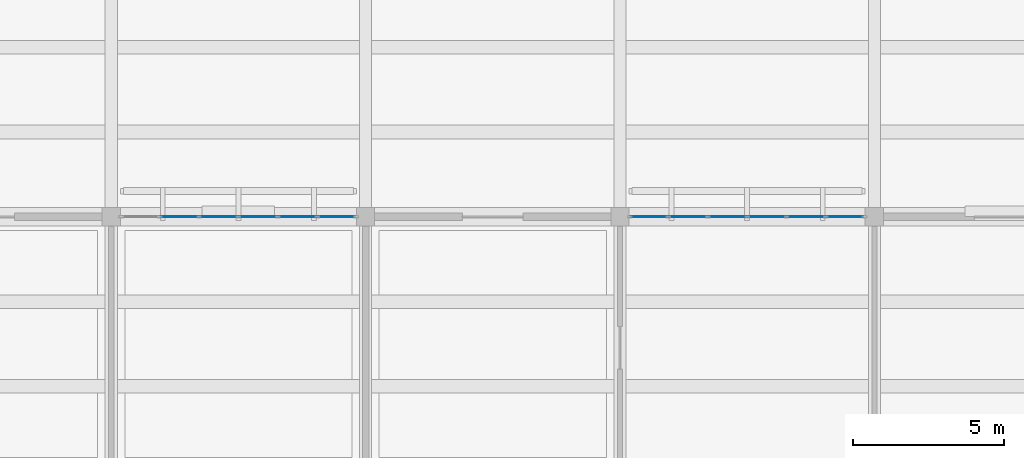
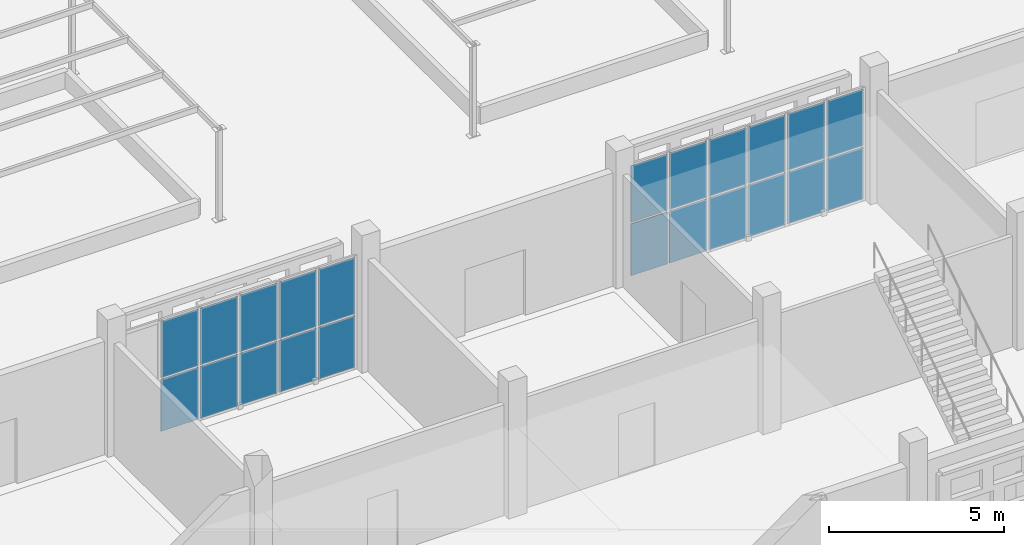
# One storey, part 48 of 129: 22 plates, 2 elements without a shape of their own.
"""IFC4 building model written with IfcOpenShell, lengths in metres."""

from ifc_helpers import new_model, si_unit, direction, frame, origin, origin_2d, place, context, subcontext, project, spatial, rectangle, extrude, material, layer, layer_set, type_object, element, aggregate, save


model = new_model("IFC4")

# Units and contexts
model_context = context("Model", 3, precision=1e-05, world=origin(), true_north=direction((0.0, 1.0)))
body_context = subcontext(model_context, "Body", "Model", "MODEL_VIEW")
ifc_project = project(units=[si_unit("LENGTHUNIT", "METRE"), si_unit("AREAUNIT", "SQUARE_METRE"), si_unit("VOLUMEUNIT", "CUBIC_METRE"), si_unit("PLANEANGLEUNIT", "RADIAN"), si_unit("MASSUNIT", "GRAM", prefix="KILO")], contexts=[model_context])

# Site, building, storey
site_placement = place(None, origin())
site = spatial("IfcSite", under=ifc_project, at=site_placement, CompositionType="ELEMENT")
building_placement = place(site_placement, origin())
building = spatial("IfcBuilding", under=site, at=building_placement, Name="Varnapada Polytechnic", CompositionType="ELEMENT")
storey_placement = place(building_placement, origin())
storey = spatial("IfcBuildingStorey", under=building, at=storey_placement, Name="L00", CompositionType="ELEMENT", Elevation=0.0)

# Curtain wall, plates
ifc_material = material(Name="Double low-E laminated glass", Category="glass")
ifc_layer_1 = layer(ifc_material, 0.159912109375)
ifc_layer_set_1 = layer_set([ifc_layer_1], Name="Double low-E laminated glass")
curtain_wall_type = type_object("IfcCurtainWallType", Name="Curtain Wall CW-01", PredefinedType="NOTDEFINED", material=ifc_layer_set_1)
curtain_wall_1_placement = place(storey_placement, origin())
curtain_wall_1 = element("IfcCurtainWall", 1, at=curtain_wall_1_placement, inside=storey, type_object=curtain_wall_type, Name="L00 unitised curtain wall CW-01 (10)", PredefinedType="NOTDEFINED")
ifc_layer_2 = layer(ifc_material, 0.028076171875)
ifc_layer_set_2 = layer_set([ifc_layer_2], Name="Double low-E laminated glass")
plate_type = type_object("IfcPlateType", Name="Curtain Panel PNL-01", PredefinedType="CURTAIN_PANEL", material=ifc_layer_set_2)
plate_1_placement = place(storey_placement, frame((94.64990234375, 42.0, 0.06005859375), z_axis=(0.0, 0.0, 1.0), x_axis=(1.0, 0.0, 0.0)))
plate_1 = element("IfcPlate", 2, at=plate_1_placement, type_object=plate_type, Name="CW-01 panel 2.1", PredefinedType="CURTAIN_PANEL", context=body_context, shape_type="SweptSolid", body=[
    extrude(rectangle(XDim=1.239990234375, YDim=0.028076171875, at=origin_2d()), origin(), (0.0, 0.0, 1.0), 1.810791015625),
])
plate_2_placement = place(storey_placement, frame((94.64990234375, 42.0, 1.9306640625), z_axis=(0.0, 0.0, 1.0), x_axis=(1.0, 0.0, 0.0)))
plate_2 = element("IfcPlate", 3, at=plate_2_placement, type_object=plate_type, Name="CW-01 panel 2.2", PredefinedType="CURTAIN_PANEL", context=body_context, shape_type="SweptSolid", body=[
    extrude(rectangle(XDim=1.239990234375, YDim=0.028076171875, at=origin_2d()), origin(), (0.0, 0.0, 1.0), 1.96923828125),
])
plate_3_placement = place(storey_placement, frame((95.949951171875, 42.0, 0.06005859375), z_axis=(0.0, 0.0, 1.0), x_axis=(1.0, 0.0, 0.0)))
plate_3 = element("IfcPlate", 4, at=plate_3_placement, type_object=plate_type, Name="CW-01 panel 3.1", PredefinedType="CURTAIN_PANEL", context=body_context, shape_type="SweptSolid", body=[
    extrude(rectangle(XDim=1.239990234375, YDim=0.028076171875, at=origin_2d()), origin(), (0.0, 0.0, 1.0), 1.810791015625),
])
plate_4_placement = place(storey_placement, frame((95.949951171875, 42.0, 1.9306640625), z_axis=(0.0, 0.0, 1.0), x_axis=(1.0, 0.0, 0.0)))
plate_4 = element("IfcPlate", 5, at=plate_4_placement, type_object=plate_type, Name="CW-01 panel 3.2", PredefinedType="CURTAIN_PANEL", context=body_context, shape_type="SweptSolid", body=[
    extrude(rectangle(XDim=1.239990234375, YDim=0.028076171875, at=origin_2d()), origin(), (0.0, 0.0, 1.0), 1.96923828125),
])
plate_5_placement = place(storey_placement, frame((97.25, 42.0, 0.06005859375), z_axis=(0.0, 0.0, 1.0), x_axis=(1.0, 0.0, 0.0)))
plate_5 = element("IfcPlate", 6, at=plate_5_placement, type_object=plate_type, Name="CW-01 panel 4.1", PredefinedType="CURTAIN_PANEL", context=body_context, shape_type="SweptSolid", body=[
    extrude(rectangle(XDim=1.239990234375, YDim=0.028076171875, at=origin_2d()), origin(), (0.0, 0.0, 1.0), 1.810791015625),
])
plate_6_placement = place(storey_placement, frame((97.25, 42.0, 1.9306640625), z_axis=(0.0, 0.0, 1.0), x_axis=(1.0, 0.0, 0.0)))
plate_6 = element("IfcPlate", 7, at=plate_6_placement, type_object=plate_type, Name="CW-01 panel 4.2", PredefinedType="CURTAIN_PANEL", context=body_context, shape_type="SweptSolid", body=[
    extrude(rectangle(XDim=1.239990234375, YDim=0.028076171875, at=origin_2d()), origin(), (0.0, 0.0, 1.0), 1.96923828125),
])
plate_7_placement = place(storey_placement, frame((98.550048828125, 42.0, 0.06005859375), z_axis=(0.0, 0.0, 1.0), x_axis=(1.0, 0.0, 0.0)))
plate_7 = element("IfcPlate", 8, at=plate_7_placement, type_object=plate_type, Name="CW-01 panel 5.1", PredefinedType="CURTAIN_PANEL", context=body_context, shape_type="SweptSolid", body=[
    extrude(rectangle(XDim=1.239990234375, YDim=0.028076171875, at=origin_2d()), origin(), (0.0, 0.0, 1.0), 1.810791015625),
])
plate_8_placement = place(storey_placement, frame((98.550048828125, 42.0, 1.9306640625), z_axis=(0.0, 0.0, 1.0), x_axis=(1.0, 0.0, 0.0)))
plate_8 = element("IfcPlate", 9, at=plate_8_placement, type_object=plate_type, Name="CW-01 panel 5.2", PredefinedType="CURTAIN_PANEL", context=body_context, shape_type="SweptSolid", body=[
    extrude(rectangle(XDim=1.239990234375, YDim=0.028076171875, at=origin_2d()), origin(), (0.0, 0.0, 1.0), 1.96923828125),
])
plate_9_placement = place(storey_placement, frame((99.8349609375, 42.0, 0.06005859375), z_axis=(0.0, 0.0, 1.0), x_axis=(1.0, 0.0, 0.0)))
plate_9 = element("IfcPlate", 10, at=plate_9_placement, type_object=plate_type, Name="CW-01 panel 6.1", PredefinedType="CURTAIN_PANEL", context=body_context, shape_type="SweptSolid", body=[
    extrude(rectangle(XDim=1.2099609375, YDim=0.028076171875, at=origin_2d()), origin(), (0.0, 0.0, 1.0), 1.810791015625),
])
plate_10_placement = place(storey_placement, frame((99.8349609375, 42.0, 1.9306640625), z_axis=(0.0, 0.0, 1.0), x_axis=(1.0, 0.0, 0.0)))
plate_10 = element("IfcPlate", 11, at=plate_10_placement, type_object=plate_type, Name="CW-01 panel 6.2", PredefinedType="CURTAIN_PANEL", context=body_context, shape_type="SweptSolid", body=[
    extrude(rectangle(XDim=1.2099609375, YDim=0.028076171875, at=origin_2d()), origin(), (0.0, 0.0, 1.0), 1.96923828125),
])
aggregate(curtain_wall_1, [plate_1, plate_2, plate_3, plate_4, plate_5, plate_6, plate_7, plate_8, plate_9, plate_10])

curtain_wall_2_placement = place(storey_placement, origin())
curtain_wall_2 = element("IfcCurtainWall", 12, at=curtain_wall_2_placement, inside=storey, type_object=curtain_wall_type, Name="L00 unitised curtain wall CW-01 (12)", PredefinedType="NOTDEFINED")
plate_11_placement = place(storey_placement, frame((110.1650390625, 42.0, 0.06005859375), z_axis=(0.0, 0.0, 1.0), x_axis=(1.0, 0.0, 0.0)))
plate_11 = element("IfcPlate", 13, at=plate_11_placement, type_object=plate_type, Name="CW-01 panel 1.1", PredefinedType="CURTAIN_PANEL", context=body_context, shape_type="SweptSolid", body=[
    extrude(rectangle(XDim=1.2099609375, YDim=0.028076171875, at=origin_2d()), origin(), (0.0, 0.0, 1.0), 1.810791015625),
])
plate_12_placement = place(storey_placement, frame((110.1650390625, 42.0, 1.9306640625), z_axis=(0.0, 0.0, 1.0), x_axis=(1.0, 0.0, 0.0)))
plate_12 = element("IfcPlate", 14, at=plate_12_placement, type_object=plate_type, Name="CW-01 panel 1.2", PredefinedType="CURTAIN_PANEL", context=body_context, shape_type="SweptSolid", body=[
    extrude(rectangle(XDim=1.2099609375, YDim=0.028076171875, at=origin_2d()), origin(), (0.0, 0.0, 1.0), 1.96923828125),
])
plate_13_placement = place(storey_placement, frame((111.449951171875, 42.0, 0.06005859375), z_axis=(0.0, 0.0, 1.0), x_axis=(1.0, 0.0, 0.0)))
plate_13 = element("IfcPlate", 15, at=plate_13_placement, type_object=plate_type, Name="CW-01 panel 2.1", PredefinedType="CURTAIN_PANEL", context=body_context, shape_type="SweptSolid", body=[
    extrude(rectangle(XDim=1.239990234375, YDim=0.028076171875, at=origin_2d()), origin(), (0.0, 0.0, 1.0), 1.810791015625),
])
plate_14_placement = place(storey_placement, frame((111.449951171875, 42.0, 1.9306640625), z_axis=(0.0, 0.0, 1.0), x_axis=(1.0, 0.0, 0.0)))
plate_14 = element("IfcPlate", 16, at=plate_14_placement, type_object=plate_type, Name="CW-01 panel 2.2", PredefinedType="CURTAIN_PANEL", context=body_context, shape_type="SweptSolid", body=[
    extrude(rectangle(XDim=1.239990234375, YDim=0.028076171875, at=origin_2d()), origin(), (0.0, 0.0, 1.0), 1.96923828125),
])
plate_15_placement = place(storey_placement, frame((112.75, 42.0, 0.06005859375), z_axis=(0.0, 0.0, 1.0), x_axis=(1.0, 0.0, 0.0)))
plate_15 = element("IfcPlate", 17, at=plate_15_placement, type_object=plate_type, Name="CW-01 panel 3.1", PredefinedType="CURTAIN_PANEL", context=body_context, shape_type="SweptSolid", body=[
    extrude(rectangle(XDim=1.239990234375, YDim=0.028076171875, at=origin_2d()), origin(), (0.0, 0.0, 1.0), 1.810791015625),
])
plate_16_placement = place(storey_placement, frame((112.75, 42.0, 1.9306640625), z_axis=(0.0, 0.0, 1.0), x_axis=(1.0, 0.0, 0.0)))
plate_16 = element("IfcPlate", 18, at=plate_16_placement, type_object=plate_type, Name="CW-01 panel 3.2", PredefinedType="CURTAIN_PANEL", context=body_context, shape_type="SweptSolid", body=[
    extrude(rectangle(XDim=1.239990234375, YDim=0.028076171875, at=origin_2d()), origin(), (0.0, 0.0, 1.0), 1.96923828125),
])
plate_17_placement = place(storey_placement, frame((114.050048828125, 42.0, 0.06005859375), z_axis=(0.0, 0.0, 1.0), x_axis=(1.0, 0.0, 0.0)))
plate_17 = element("IfcPlate", 19, at=plate_17_placement, type_object=plate_type, Name="CW-01 panel 4.1", PredefinedType="CURTAIN_PANEL", context=body_context, shape_type="SweptSolid", body=[
    extrude(rectangle(XDim=1.239990234375, YDim=0.028076171875, at=origin_2d()), origin(), (0.0, 0.0, 1.0), 1.810791015625),
])
plate_18_placement = place(storey_placement, frame((114.050048828125, 42.0, 1.9306640625), z_axis=(0.0, 0.0, 1.0), x_axis=(1.0, 0.0, 0.0)))
plate_18 = element("IfcPlate", 20, at=plate_18_placement, type_object=plate_type, Name="CW-01 panel 4.2", PredefinedType="CURTAIN_PANEL", context=body_context, shape_type="SweptSolid", body=[
    extrude(rectangle(XDim=1.239990234375, YDim=0.028076171875, at=origin_2d()), origin(), (0.0, 0.0, 1.0), 1.96923828125),
])
plate_19_placement = place(storey_placement, frame((115.35009765625, 42.0, 0.06005859375), z_axis=(0.0, 0.0, 1.0), x_axis=(1.0, 0.0, 0.0)))
plate_19 = element("IfcPlate", 21, at=plate_19_placement, type_object=plate_type, Name="CW-01 panel 5.1", PredefinedType="CURTAIN_PANEL", context=body_context, shape_type="SweptSolid", body=[
    extrude(rectangle(XDim=1.239990234375, YDim=0.028076171875, at=origin_2d()), origin(), (0.0, 0.0, 1.0), 1.810791015625),
])
plate_20_placement = place(storey_placement, frame((115.35009765625, 42.0, 1.9306640625), z_axis=(0.0, 0.0, 1.0), x_axis=(1.0, 0.0, 0.0)))
plate_20 = element("IfcPlate", 22, at=plate_20_placement, type_object=plate_type, Name="CW-01 panel 5.2", PredefinedType="CURTAIN_PANEL", context=body_context, shape_type="SweptSolid", body=[
    extrude(rectangle(XDim=1.239990234375, YDim=0.028076171875, at=origin_2d()), origin(), (0.0, 0.0, 1.0), 1.96923828125),
])
plate_21_placement = place(storey_placement, frame((116.635009765625, 42.0, 0.06005859375), z_axis=(0.0, 0.0, 1.0), x_axis=(1.0, 0.0, 0.0)))
plate_21 = element("IfcPlate", 23, at=plate_21_placement, type_object=plate_type, Name="CW-01 panel 6.1", PredefinedType="CURTAIN_PANEL", context=body_context, shape_type="SweptSolid", body=[
    extrude(rectangle(XDim=1.2099609375, YDim=0.028076171875, at=origin_2d()), origin(), (0.0, 0.0, 1.0), 1.810791015625),
])
plate_22_placement = place(storey_placement, frame((116.635009765625, 42.0, 1.9306640625), z_axis=(0.0, 0.0, 1.0), x_axis=(1.0, 0.0, 0.0)))
plate_22 = element("IfcPlate", 24, at=plate_22_placement, type_object=plate_type, Name="CW-01 panel 6.2", PredefinedType="CURTAIN_PANEL", context=body_context, shape_type="SweptSolid", body=[
    extrude(rectangle(XDim=1.2099609375, YDim=0.028076171875, at=origin_2d()), origin(), (0.0, 0.0, 1.0), 1.96923828125),
])
aggregate(curtain_wall_2, [plate_11, plate_12, plate_13, plate_14, plate_15, plate_16, plate_17, plate_18, plate_19, plate_20, plate_21, plate_22])

save(model, "model.ifc")
